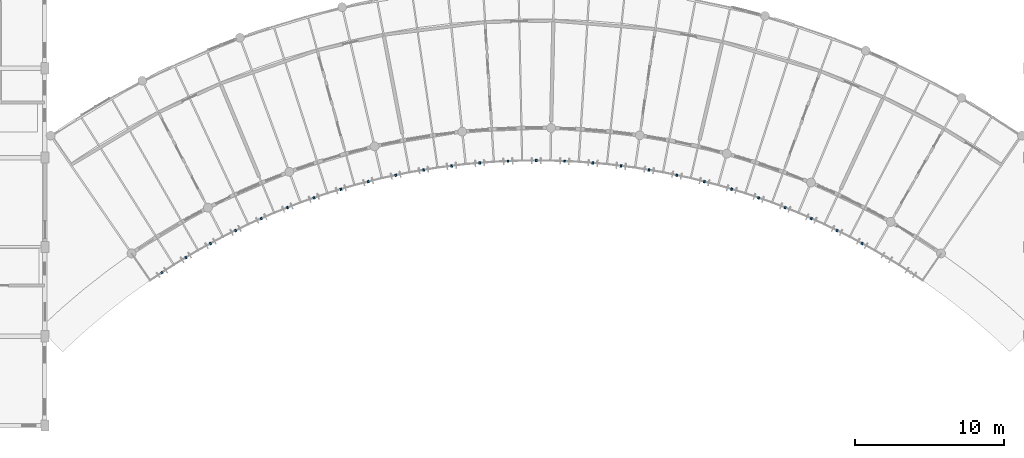
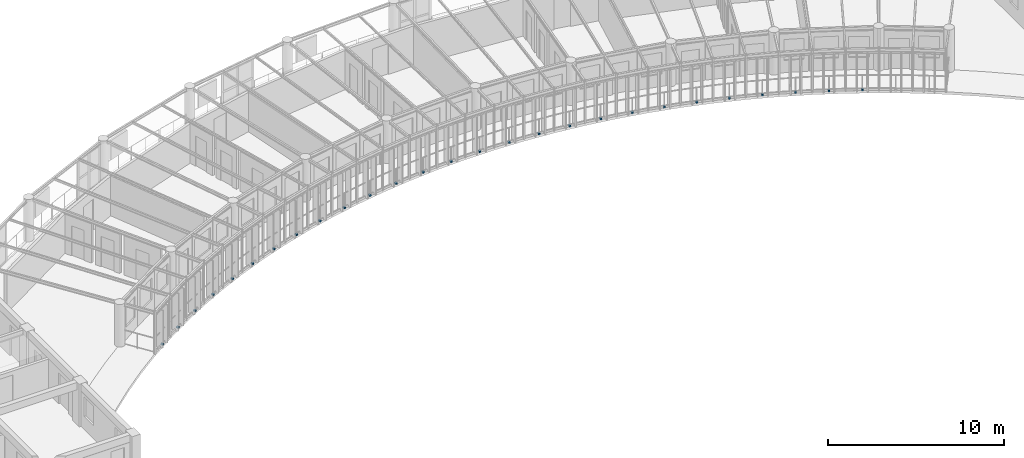
# One storey, part 86 of 100: 27 discrete accessories.
"""IFC4 building model written with IfcOpenShell, lengths in metres."""

from ifc_helpers import new_model, si_unit, direction, frame, origin, origin_2d, place, context, subcontext, project, spatial, rectangle, extrude, material, type_object, element, save


model = new_model("IFC4")

# Units and contexts
model_context = context("Model", 3, precision=1e-05, world=origin(), true_north=direction((0.0, 1.0)))
body_context = subcontext(model_context, "Body", "Model", "MODEL_VIEW")
ifc_project = project(units=[si_unit("LENGTHUNIT", "METRE"), si_unit("AREAUNIT", "SQUARE_METRE"), si_unit("VOLUMEUNIT", "CUBIC_METRE"), si_unit("PLANEANGLEUNIT", "RADIAN"), si_unit("MASSUNIT", "GRAM", prefix="KILO"), si_unit("POWERUNIT", "WATT"), si_unit("THERMODYNAMICTEMPERATUREUNIT", "KELVIN")], contexts=[model_context])

# Site, building, storey
site_placement = place(None, origin())
site = spatial("IfcSite", under=ifc_project, at=site_placement, CompositionType="ELEMENT")
building_placement = place(site_placement, origin())
building = spatial("IfcBuilding", under=site, at=building_placement, Name="Ruvembo Vaulted Housing Court", CompositionType="ELEMENT")
storey_placement = place(building_placement, frame((0.0, 0.0, 14.10009765625)))
storey = spatial("IfcBuildingStorey", under=building, at=storey_placement, Name="L04", CompositionType="ELEMENT", Elevation=14.10009765625)

# Discrete accessories
ifc_material = material(Name="Stainless Steel Grade 316", Category="steel")
discrete_accessory_type = type_object("IfcDiscreteAccessoryType", Name="ACC-BRACKET-SS", PredefinedType="BRACKET", material=ifc_material)
for number, where, z_axis, x_axis, name in (
    (1, (91.862060546875, 88.27294921875, 0.02978515625), (0.0, 0.0, 1.0), (0.548964466299, -0.835845688355, 0.0), "Stainless Louvre Rail Bracket #323"),
    (2, (93.471923828125, 89.283203125, 0.02978515625), (0.0, 0.0, 1.0), (0.513825768915, -0.857894561819, 0.0), "Stainless Louvre Rail Bracket #324"),
    (3, (95.122314453125, 90.2255859375, 0.02978515625), (0.0, 0.0, 1.0), (0.477787506376, -0.878475440038, 0.0), "Stainless Louvre Rail Bracket #325"),
    (4, (96.810546875, 91.098876953125, 0.02978515625), (0.0, 0.0, 1.0), (0.440910671447, -0.897550990086, 0.0), "Stainless Louvre Rail Bracket #326"),
    (5, (98.533447265625, 91.9013671875, 0.02978515625), (0.0, 0.0, 1.0), (0.403305746645, -0.915065284405, 0.0), "Stainless Louvre Rail Bracket #327"),
    (6, (100.288330078125, 92.631591796875, 0.02978515625), (0.0, 0.0, 1.0), (0.364958032896, -0.931023970811, 0.0), "Stainless Louvre Rail Bracket #328"),
    (7, (102.07177734375, 93.288330078125, 0.02978515625), (0.0, 0.0, 1.0), (0.326030183107, -0.945359360087, 0.0), "Stainless Louvre Rail Bracket #329"),
    (8, (103.881103515625, 93.87060546875, 0.02978515625), (0.0, 0.0, 1.0), (0.2864911095, -0.958082900472, 0.0), "Stainless Louvre Rail Bracket #330"),
    (9, (105.712890625, 94.377197265625, 0.02978515625), (0.0, 0.0, 1.0), (0.246491603437, -0.969144926951, 0.0), "Stainless Louvre Rail Bracket #331"),
    (10, (107.564208984375, 94.807373046875, 0.02978515625), (0.0, 0.0, 1.0), (0.206101715045, -0.978530573388, 0.0), "Stainless Louvre Rail Bracket #332"),
    (11, (109.431640625, 95.160400390625, 0.02978515625), (0.0, 0.0, 1.0), (0.165271382715, -0.986248128037, 0.0), "Stainless Louvre Rail Bracket #333"),
    (12, (111.3125, 95.435546875, 0.02978515625), (0.0, 0.0, 1.0), (0.12419031657, -0.992258416578, 0.0), "Stainless Louvre Rail Bracket #334"),
    (13, (113.202880859375, 95.63232421875, 0.02978515625), (0.0, 0.0, 1.0), (0.082895173943, -0.996558272324, 0.0), "Stainless Louvre Rail Bracket #335"),
    (14, (115.099853515625, 95.750732421875, 0.02978515625), (0.0, 0.0, 1.0), (0.041509453281, -0.999138111218, 0.0), "Stainless Louvre Rail Bracket #336"),
    (15, (117.0, 95.7900390625, 0.02978515625), (0.0, 0.0, 1.0), (0.0, -1.0, 0.0), "Stainless Louvre Rail Bracket #337"),
    (16, (118.900146484375, 95.750732421875, 0.02978515625), (0.0, 0.0, 1.0), (-0.041509453281, -0.999138111218, 0.0), "Stainless Louvre Rail Bracket #338"),
    (17, (120.797119140625, 95.63232421875, 0.02978515625), (0.0, 0.0, 1.0), (-0.082895173943, -0.996558272324, 0.0), "Stainless Louvre Rail Bracket #339"),
    (18, (122.6875, 95.435546875, 0.02978515625), (0.0, 0.0, 1.0), (-0.12419031657, -0.992258416578, 0.0), "Stainless Louvre Rail Bracket #340"),
    (19, (124.568359375, 95.160400390625, 0.02978515625), (0.0, 0.0, 1.0), (-0.165271382715, -0.986248128037, 0.0), "Stainless Louvre Rail Bracket #341"),
    (20, (126.435791015625, 94.807373046875, 0.02978515625), (0.0, 0.0, 1.0), (-0.206101715045, -0.978530573388, 0.0), "Stainless Louvre Rail Bracket #342"),
    (21, (128.287109375, 94.377197265625, 0.02978515625), (0.0, 0.0, 1.0), (-0.246491603437, -0.969144926951, 0.0), "Stainless Louvre Rail Bracket #343"),
    (22, (130.118896484375, 93.87060546875, 0.02978515625), (0.0, 0.0, 1.0), (-0.2864911095, -0.958082900472, 0.0), "Stainless Louvre Rail Bracket #344"),
    (23, (131.92822265625, 93.288330078125, 0.02978515625), (0.0, 0.0, 1.0), (-0.326030183107, -0.945359360087, 0.0), "Stainless Louvre Rail Bracket #345"),
    (24, (133.711669921875, 92.631591796875, 0.02978515625), (0.0, 0.0, 1.0), (-0.364958032896, -0.931023970811, 0.0), "Stainless Louvre Rail Bracket #346"),
    (25, (135.466552734375, 91.9013671875, 0.02978515625), (0.0, 0.0, 1.0), (-0.403305746645, -0.915065284405, 0.0), "Stainless Louvre Rail Bracket #347"),
    (26, (137.189453125, 91.098876953125, 0.02978515625), (0.0, 0.0, 1.0), (-0.440910671447, -0.897550990086, 0.0), "Stainless Louvre Rail Bracket #348"),
    (27, (138.877685546875, 90.2255859375, 0.02978515625), (0.0, 0.0, 1.0), (-0.477787506376, -0.878475440038, 0.0), "Stainless Louvre Rail Bracket #349"),
):
    element("IfcDiscreteAccessory", number, at=place(storey_placement, frame(where, z_axis=z_axis, x_axis=x_axis)), inside=storey, type_object=discrete_accessory_type, Name=name, PredefinedType="BRACKET", context=body_context, shape_type="SweptSolid", body=[
        extrude(rectangle(XDim=0.159912109375, YDim=0.1201171875, at=origin_2d()), origin(), (0.0, 0.0, 1.0), 0.10009765625),
    ])

save(model, "model.ifc")
